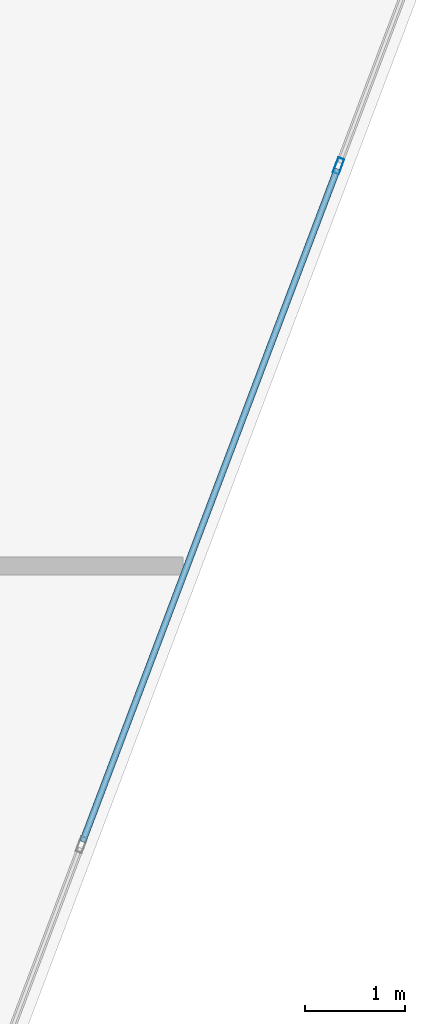
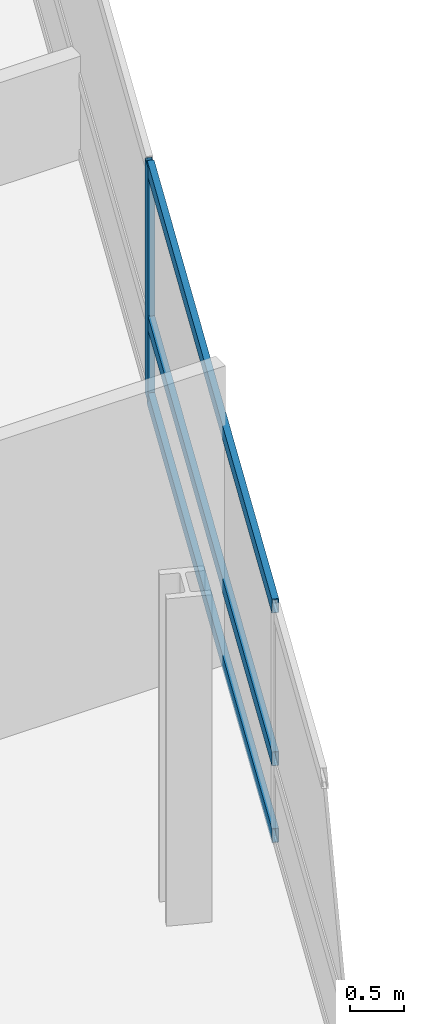
# One storey, part 12 of 25: 4 members, 1 element without a shape of its own.
"""IFC4 building model written with IfcOpenShell, lengths in metres."""

from ifc_helpers import new_model, si_unit, direction, frame, origin, origin_2d, place, context, subcontext, project, spatial, hollow_rectangle, extrude, material, layer, layer_set, material_profile, profile_set, type_object, element, aggregate, save


model = new_model("IFC4")

# Units and contexts
model_context = context("Model", 3, precision=1e-05, world=origin(), true_north=direction((0.0, 1.0)))
body_context = subcontext(model_context, "Body", "Model", "MODEL_VIEW")
ifc_project = project(units=[si_unit("LENGTHUNIT", "METRE"), si_unit("AREAUNIT", "SQUARE_METRE"), si_unit("VOLUMEUNIT", "CUBIC_METRE"), si_unit("PLANEANGLEUNIT", "RADIAN"), si_unit("MASSUNIT", "GRAM", prefix="KILO")], contexts=[model_context])

# Site, building, storey
site_placement = place(None, origin())
site = spatial("IfcSite", under=ifc_project, at=site_placement, CompositionType="ELEMENT")
building_placement = place(site_placement, origin())
building = spatial("IfcBuilding", under=site, at=building_placement, Name="Varnelok Gate Tower", CompositionType="ELEMENT")
storey_placement = place(building_placement, frame((0.0, 0.0, 113.199951171875)))
storey = spatial("IfcBuildingStorey", under=building, at=storey_placement, Name="L28", CompositionType="ELEMENT", Elevation=113.199951171875)

# Curtain wall, members
ifc_material = material(Name="Anodized Aluminum Alloy 6063-T6", Category="aluminium")
ifc_layer = layer(ifc_material, 0.179931640625)
ifc_layer_set = layer_set([ifc_layer], Name="Anodized Aluminum Alloy 6063-T6")
curtain_wall_type = type_object("IfcCurtainWallType", Name="CW3-HOTEL-VISION", PredefinedType="USERDEFINED", material=ifc_layer_set)
curtain_wall_placement = place(storey_placement, origin())
curtain_wall = element("IfcCurtainWall", 1, at=curtain_wall_placement, inside=storey, type_object=curtain_wall_type, Name="L28 East End Vision Curtain Wall", ObjectType="UNITISED CURTAIN WALL", PredefinedType="USERDEFINED")
ifc_material_profile_1 = material_profile(ifc_material, hollow_rectangle(XDim=0.06494140625, YDim=0.159912109375, WallThickness=0.00390625, at=origin_2d()), Name="ALU160X65X4")
ifc_profile_set_1 = profile_set([ifc_material_profile_1], Name="Anodized Aluminum Alloy 6063-T6")
member_type_1 = type_object("IfcMemberType", Name="CW-MULL-160", PredefinedType="MULLION", material=ifc_profile_set_1)
member_1_placement = place(storey_placement, frame((75.328125, 15.4931640625, 0.0), z_axis=(0.0, 0.0, 1.0), x_axis=(0.935221323688, -0.354063660545, 0.0)))
member_1 = element("IfcMember", 2, at=member_1_placement, type_object=member_type_1, Name="CW3 mullion 3", PredefinedType="MULLION", context=body_context, shape_type="SweptSolid", body=[
    extrude(hollow_rectangle(XDim=0.06494140625, YDim=0.159912109375, WallThickness=0.00390625, at=origin_2d()), origin(), (0.0, 0.0, 1.0), 2.66015625),
])
ifc_material_profile_2 = material_profile(ifc_material, hollow_rectangle(XDim=0.06494140625, YDim=0.159912109375, WallThickness=0.00390625, at=origin_2d()), Name="ALU160X65X4")
ifc_profile_set_2 = profile_set([ifc_material_profile_2], Name="Anodized Aluminum Alloy 6063-T6")
member_type_2 = type_object("IfcMemberType", Name="CW-TRAN-160", PredefinedType="USERDEFINED", material=ifc_profile_set_2)
member_2_placement = place(storey_placement, frame((75.316650390625, 15.462646484375, 0.032470703125), z_axis=(-0.354078724634, -0.935215620465, 0.0), x_axis=(0.935215620465, -0.354078724634, 0.0)))
member_2 = element("IfcMember", 3, at=member_2_placement, type_object=member_type_2, Name="CW3 transom 3.1", ObjectType="TRANSOM", PredefinedType="USERDEFINED", context=body_context, shape_type="SweptSolid", body=[
    extrude(hollow_rectangle(XDim=0.06494140625, YDim=0.159912109375, WallThickness=0.00390625, at=origin_2d()), origin(), (0.0, 0.0, 1.0), 7.175048828125),
])
member_3_placement = place(storey_placement, frame((75.316650390625, 15.462646484375, 0.900146484375), z_axis=(-0.354078724634, -0.935215620465, 0.0), x_axis=(0.935215620465, -0.354078724634, 0.0)))
member_3 = element("IfcMember", 4, at=member_3_placement, type_object=member_type_2, Name="CW3 transom 3.2", ObjectType="TRANSOM", PredefinedType="USERDEFINED", context=body_context, shape_type="SweptSolid", body=[
    extrude(hollow_rectangle(XDim=0.06494140625, YDim=0.159912109375, WallThickness=0.00390625, at=origin_2d()), origin(), (0.0, 0.0, 1.0), 7.175048828125),
])
member_4_placement = place(storey_placement, frame((75.316650390625, 15.462646484375, 2.62744140625), z_axis=(-0.354078724634, -0.935215620465, 0.0), x_axis=(0.935215620465, -0.354078724634, 0.0)))
member_4 = element("IfcMember", 5, at=member_4_placement, type_object=member_type_2, Name="CW3 transom 3.3", ObjectType="TRANSOM", PredefinedType="USERDEFINED", context=body_context, shape_type="SweptSolid", body=[
    extrude(hollow_rectangle(XDim=0.06494140625, YDim=0.159912109375, WallThickness=0.00390625, at=origin_2d()), origin(), (0.0, 0.0, 1.0), 7.175048828125),
])
aggregate(curtain_wall, [member_1, member_2, member_3, member_4])

save(model, "model.ifc")
